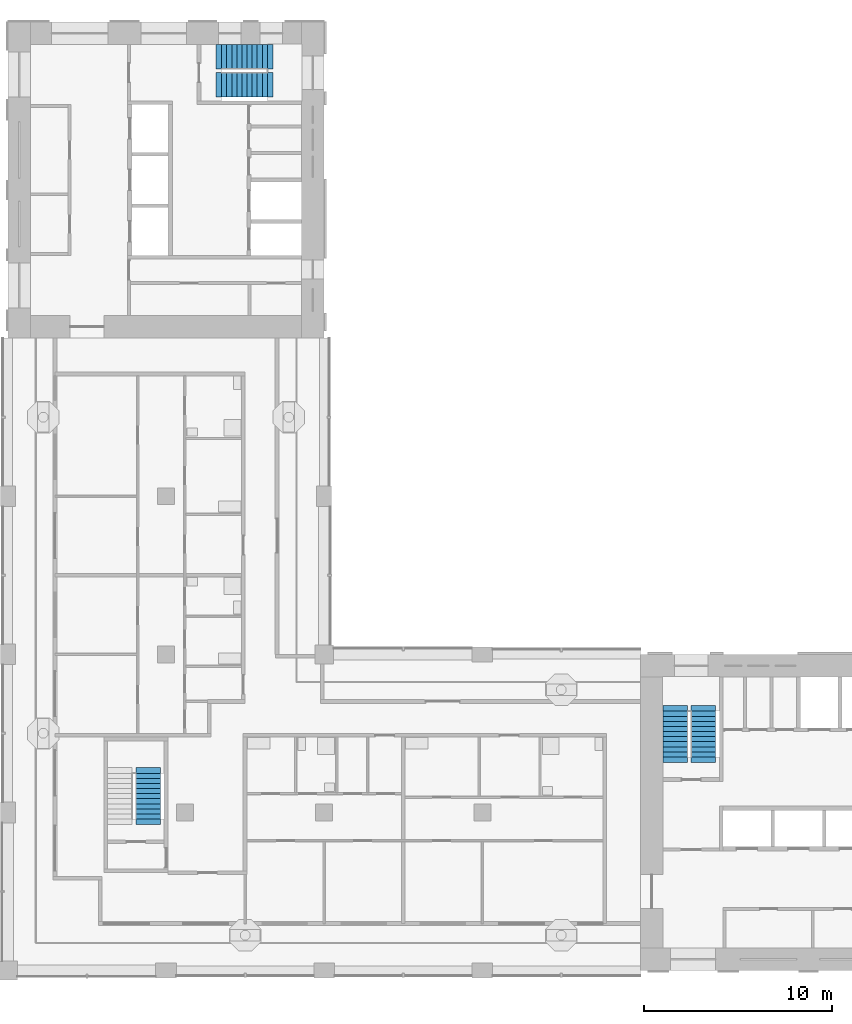
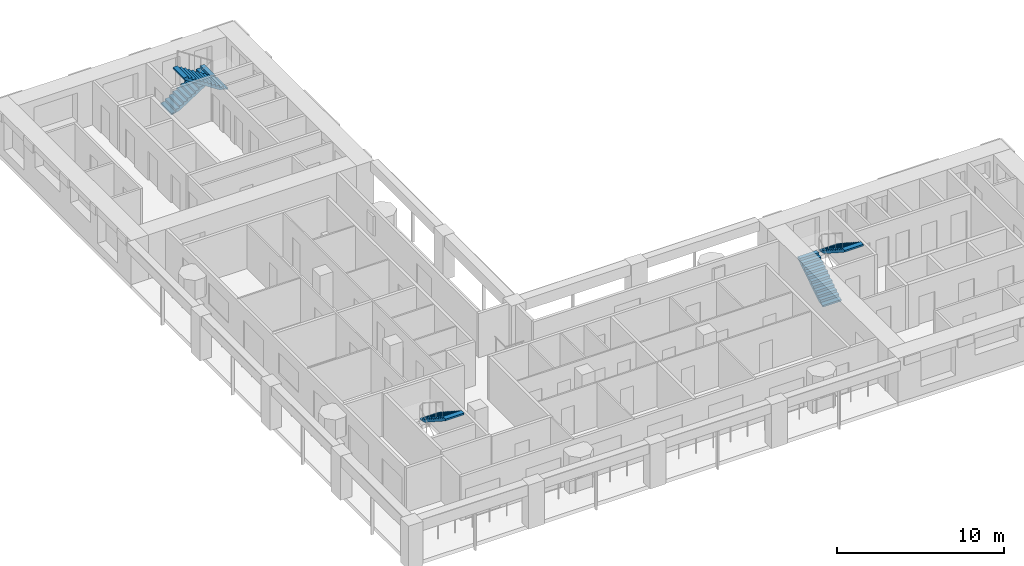
# One storey, part 7 of 12: 5 stair flights, 3 elements without a shape of their own.
"""IFC4 building model written with IfcOpenShell, lengths in metres."""

from ifc_helpers import new_model, si_unit, direction, frame, origin, place, context, subcontext, project, spatial, polyline, outline, extrude, material, type_object, element, aggregate, save


model = new_model("IFC4")

# Units and contexts
model_context = context("Model", 3, precision=1e-05, world=origin(), true_north=direction((0.0, 1.0)))
body_context = subcontext(model_context, "Body", "Model", "MODEL_VIEW")
ifc_project = project(units=[si_unit("LENGTHUNIT", "METRE"), si_unit("AREAUNIT", "SQUARE_METRE"), si_unit("VOLUMEUNIT", "CUBIC_METRE"), si_unit("PLANEANGLEUNIT", "RADIAN"), si_unit("MASSUNIT", "GRAM", prefix="KILO")], contexts=[model_context])

# Site, building, storey
site_placement = place(None, origin())
site = spatial("IfcSite", under=ifc_project, at=site_placement, CompositionType="ELEMENT")
building_placement = place(site_placement, origin())
building = spatial("IfcBuilding", under=site, at=building_placement, Name="Vermilion Gate Residences", CompositionType="ELEMENT")
storey_placement = place(building_placement, frame((0.0, 0.0, 217.699951171875)))
storey = spatial("IfcBuildingStorey", under=building, at=storey_placement, Name="L56", CompositionType="ELEMENT", Elevation=217.699951171875)

# Stair, stair flights
ifc_material_1 = material(Name="Concrete C50", Category="concrete")
stair_type = type_object("IfcStairType", Name="SPECIAL ESCAPE STAIR 1300", PredefinedType="HALF_TURN_STAIR", material=ifc_material_1)
stair_1_placement = place(storey_placement, origin())
stair_1 = element("IfcStair", 1, at=stair_1_placement, inside=storey, type_object=stair_type, Name="Special escape stair STA1-56", PredefinedType="HALF_TURN_STAIR")
ifc_material_2 = material(Name="Concrete C50", Category="concrete")
stair_flight_type = type_object("IfcStairFlightType", Name="STAIR FLIGHT 1300 RC C50", PredefinedType="STRAIGHT", material=ifc_material_2)
stair_flight_1_placement = place(storey_placement, frame((43.85009765625, 19.75, 0.0), z_axis=(0.0, 0.0, 1.0), x_axis=(0.0, 1.0, 0.0)))
stair_flight_1 = element("IfcStairFlight", 2, at=stair_flight_1_placement, type_object=stair_flight_type, Name="STA1-56 flight 1", NumberOfRisers=10, NumberOfTreads=9, PredefinedType="STRAIGHT", RiserHeight=0.175, TreadLength=0.27, context=body_context, shape_type="SweptSolid", body=[
    extrude(outline(polyline([(-0.300048828125, -0.14990234375), (-0.300048828125, -0.030029296875), (0.0, 0.0), (0.0, 0.175048828125), (0.27001953125, 0.175048828125), (0.27001953125, 0.35009765625), (0.5400390625, 0.35009765625), (0.5400390625, 0.52490234375), (0.81005859375, 0.52490234375), (0.81005859375, 0.699951171875), (1.080078125, 0.699951171875), (1.080078125, 0.875), (1.35009765625, 0.875), (1.35009765625, 1.050048828125), (1.6201171875, 1.050048828125), (1.6201171875, 1.22509765625), (1.889892578125, 1.22509765625), (1.889892578125, 1.39990234375), (2.159912109375, 1.39990234375), (2.159912109375, 1.574951171875), (2.429931640625, 1.574951171875), (2.429931640625, 1.75), (2.72998046875, 1.719970703125), (2.72998046875, 1.60009765625), (2.429931640625, 1.396484375), (0.275634765625, 0.0), (-0.300048828125, -0.14990234375)])), frame((0.0, 0.64990234375, 0.0), z_axis=(0.0, -1.0, 0.0), x_axis=(1.0, 0.0, 0.0)), (0.0, 0.0, 1.0), 1.300048828125),
])
stair_flight_2_placement = place(storey_placement, frame((45.35009765625, 22.179931640625, 1.75), z_axis=(0.0, 0.0, 1.0), x_axis=(0.0, -1.0, 0.0)))
stair_flight_2 = element("IfcStairFlight", 3, at=stair_flight_2_placement, type_object=stair_flight_type, Name="STA1-56 flight 2", NumberOfRisers=10, NumberOfTreads=9, PredefinedType="STRAIGHT", RiserHeight=0.175, TreadLength=0.27, context=body_context, shape_type="SweptSolid", body=[
    extrude(outline(polyline([(-0.300048828125, -0.14990234375), (-0.300048828125, -0.030029296875), (0.0, 0.0), (0.0, 0.175048828125), (0.27001953125, 0.175048828125), (0.27001953125, 0.35009765625), (0.5400390625, 0.35009765625), (0.5400390625, 0.52490234375), (0.81005859375, 0.52490234375), (0.81005859375, 0.699951171875), (1.080078125, 0.699951171875), (1.080078125, 0.875), (1.35009765625, 0.875), (1.35009765625, 1.050048828125), (1.6201171875, 1.050048828125), (1.6201171875, 1.22509765625), (1.889892578125, 1.22509765625), (1.889892578125, 1.39990234375), (2.159912109375, 1.39990234375), (2.159912109375, 1.574951171875), (2.429931640625, 1.574951171875), (2.429931640625, 1.75), (2.72998046875, 1.719970703125), (2.72998046875, 1.60009765625), (2.429931640625, 1.396484375), (0.275634765625, 0.0), (-0.300048828125, -0.14990234375)])), frame((0.0, 0.64990234375, 0.0), z_axis=(0.0, -1.0, 0.0), x_axis=(1.0, 0.0, 0.0)), (0.0, 0.0, 1.0), 1.300048828125),
])
aggregate(stair_1, [stair_flight_1, stair_flight_2])

stair_2_placement = place(storey_placement, origin())
stair_2 = element("IfcStair", 4, at=stair_2_placement, inside=storey, type_object=stair_type, Name="Special escape stair STB1-56", PredefinedType="HALF_TURN_STAIR")
stair_flight_3_placement = place(storey_placement, frame((19.75, 56.949951171875, 0.0), z_axis=(0.0, 0.0, 1.0), x_axis=(1.0, 0.0, 0.0)))
stair_flight_3 = element("IfcStairFlight", 5, at=stair_flight_3_placement, type_object=stair_flight_type, Name="STB1-56 flight 1", NumberOfRisers=10, NumberOfTreads=9, PredefinedType="STRAIGHT", RiserHeight=0.175, TreadLength=0.27, context=body_context, shape_type="SweptSolid", body=[
    extrude(outline(polyline([(-0.300048828125, -0.14990234375), (-0.300048828125, -0.030029296875), (0.0, 0.0), (0.0, 0.175048828125), (0.27001953125, 0.175048828125), (0.27001953125, 0.35009765625), (0.5400390625, 0.35009765625), (0.5400390625, 0.52490234375), (0.81005859375, 0.52490234375), (0.81005859375, 0.699951171875), (1.080078125, 0.699951171875), (1.080078125, 0.875), (1.35009765625, 0.875), (1.35009765625, 1.050048828125), (1.6201171875, 1.050048828125), (1.6201171875, 1.22509765625), (1.889892578125, 1.22509765625), (1.889892578125, 1.39990234375), (2.159912109375, 1.39990234375), (2.159912109375, 1.574951171875), (2.429931640625, 1.574951171875), (2.429931640625, 1.75), (2.72998046875, 1.719970703125), (2.72998046875, 1.60009765625), (2.429931640625, 1.396484375), (0.275634765625, 0.0), (-0.300048828125, -0.14990234375)])), frame((0.0, 0.64990234375, 0.0), z_axis=(0.0, -1.0, 0.0), x_axis=(1.0, 0.0, 0.0)), (0.0, 0.0, 1.0), 1.300048828125),
])
stair_flight_4_placement = place(storey_placement, frame((22.179931640625, 55.449951171875, 1.75), z_axis=(0.0, 0.0, 1.0), x_axis=(-1.0, 0.0, 0.0)))
stair_flight_4 = element("IfcStairFlight", 6, at=stair_flight_4_placement, type_object=stair_flight_type, Name="STB1-56 flight 2", NumberOfRisers=10, NumberOfTreads=9, PredefinedType="STRAIGHT", RiserHeight=0.175, TreadLength=0.27, context=body_context, shape_type="SweptSolid", body=[
    extrude(outline(polyline([(-0.300048828125, -0.14990234375), (-0.300048828125, -0.030029296875), (0.0, 0.0), (0.0, 0.175048828125), (0.27001953125, 0.175048828125), (0.27001953125, 0.35009765625), (0.5400390625, 0.35009765625), (0.5400390625, 0.52490234375), (0.81005859375, 0.52490234375), (0.81005859375, 0.699951171875), (1.080078125, 0.699951171875), (1.080078125, 0.875), (1.35009765625, 0.875), (1.35009765625, 1.050048828125), (1.6201171875, 1.050048828125), (1.6201171875, 1.22509765625), (1.889892578125, 1.22509765625), (1.889892578125, 1.39990234375), (2.159912109375, 1.39990234375), (2.159912109375, 1.574951171875), (2.429931640625, 1.574951171875), (2.429931640625, 1.75), (2.72998046875, 1.719970703125), (2.72998046875, 1.60009765625), (2.429931640625, 1.396484375), (0.275634765625, 0.0), (-0.300048828125, -0.14990234375)])), frame((0.0, 0.64990234375, 0.0), z_axis=(0.0, -1.0, 0.0), x_axis=(1.0, 0.0, 0.0)), (0.0, 0.0, 1.0), 1.300048828125),
])
aggregate(stair_2, [stair_flight_3, stair_flight_4])

# Stair, stair flight
stair_3_placement = place(storey_placement, origin())
stair_3 = element("IfcStair", 7, at=stair_3_placement, inside=storey, type_object=stair_type, Name="Special escape stair STC1-56", PredefinedType="HALF_TURN_STAIR")
stair_flight_5_placement = place(storey_placement, frame((15.85009765625, 18.8798828125, 1.75), z_axis=(0.0, 0.0, 1.0), x_axis=(0.0, -1.0, 0.0)))
stair_flight_5 = element("IfcStairFlight", 8, at=stair_flight_5_placement, type_object=stair_flight_type, Name="STC1-56 flight 2", NumberOfRisers=10, NumberOfTreads=9, PredefinedType="STRAIGHT", RiserHeight=0.175, TreadLength=0.27, context=body_context, shape_type="SweptSolid", body=[
    extrude(outline(polyline([(-0.300048828125, -0.14990234375), (-0.300048828125, -0.030029296875), (0.0, 0.0), (0.0, 0.175048828125), (0.27001953125, 0.175048828125), (0.27001953125, 0.35009765625), (0.5400390625, 0.35009765625), (0.5400390625, 0.52490234375), (0.81005859375, 0.52490234375), (0.81005859375, 0.699951171875), (1.080078125, 0.699951171875), (1.080078125, 0.875), (1.35009765625, 0.875), (1.35009765625, 1.050048828125), (1.6201171875, 1.050048828125), (1.6201171875, 1.22509765625), (1.889892578125, 1.22509765625), (1.889892578125, 1.39990234375), (2.159912109375, 1.39990234375), (2.159912109375, 1.574951171875), (2.429931640625, 1.574951171875), (2.429931640625, 1.75), (2.72998046875, 1.719970703125), (2.72998046875, 1.60009765625), (2.429931640625, 1.396484375), (0.275634765625, 0.0), (-0.300048828125, -0.14990234375)])), frame((0.0, 0.64990234375, 0.0), z_axis=(0.0, -1.0, 0.0), x_axis=(1.0, 0.0, 0.0)), (0.0, 0.0, 1.0), 1.300048828125),
])
aggregate(stair_3, [stair_flight_5])

save(model, "model.ifc")
